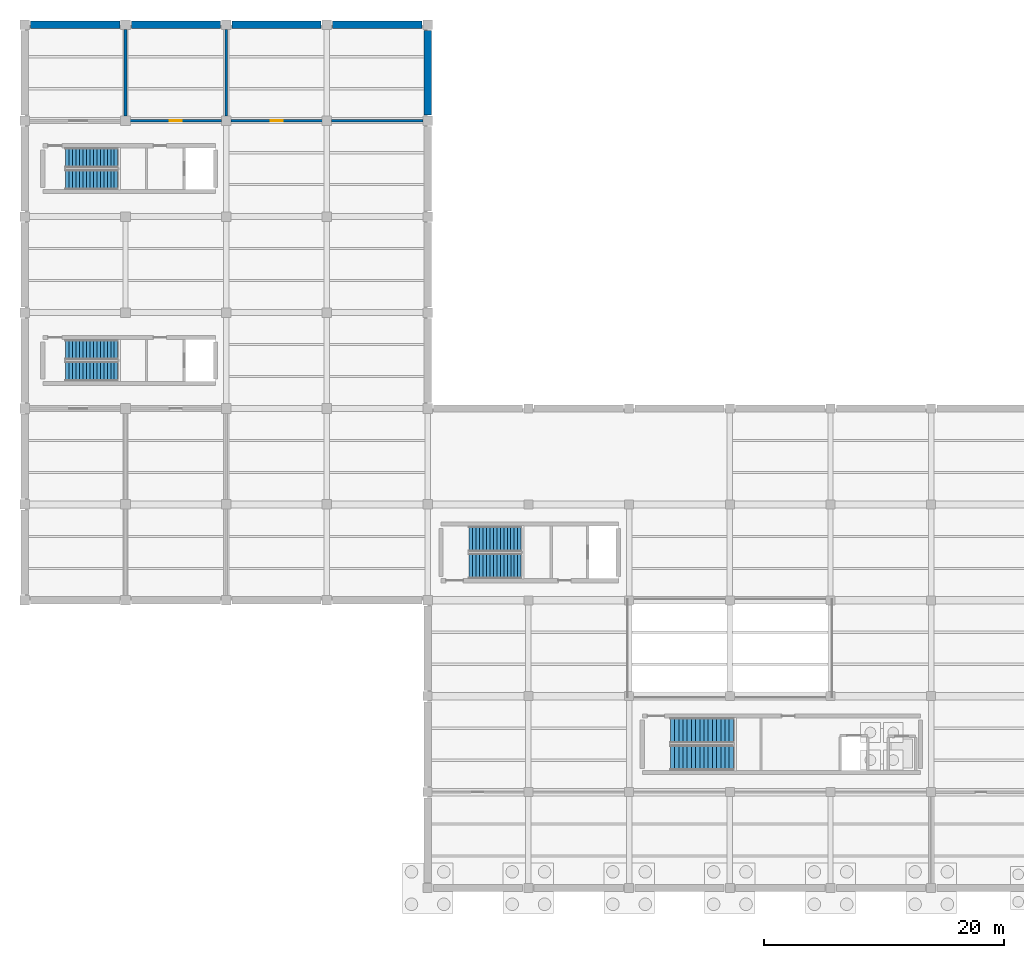
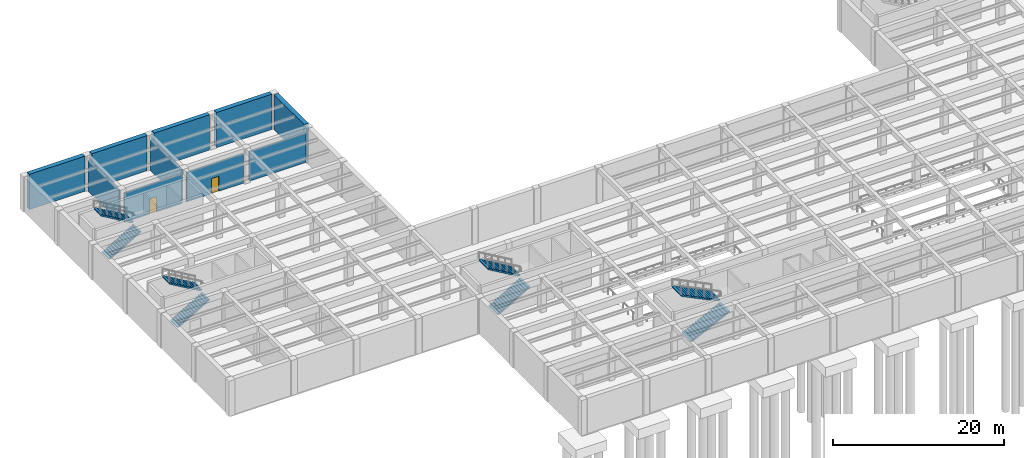
# One storey, part 9 of 16: 10 walls, 8 stair flights, 2 doors, 2 openings, 4 elements without a shape of their own.
"""IFC4 building model written with IfcOpenShell, lengths in metres."""

from ifc_helpers import new_model, si_unit, direction, frame, frame_2d, origin, place, context, subcontext, project, spatial, polyline, rectangle, outline, extrude, material, layer, layer_set, type_object, element, fill, aggregate, save


model = new_model("IFC4")

# Units and contexts
model_context = context("Model", 3, precision=1e-05, world=origin(), true_north=direction((0.0, 1.0)))
body_context = subcontext(model_context, "Body", "Model", "MODEL_VIEW")
ifc_project = project(units=[si_unit("LENGTHUNIT", "METRE"), si_unit("AREAUNIT", "SQUARE_METRE"), si_unit("VOLUMEUNIT", "CUBIC_METRE"), si_unit("PLANEANGLEUNIT", "RADIAN"), si_unit("MASSUNIT", "GRAM", prefix="KILO")], contexts=[model_context])

# Site, building, storey
site_placement = place(None, origin())
site = spatial("IfcSite", under=ifc_project, at=site_placement, CompositionType="ELEMENT")
building_placement = place(site_placement, origin())
building = spatial("IfcBuilding", under=site, at=building_placement, Name="Kranzveld Transit Interchange", CompositionType="ELEMENT")
storey_placement = place(building_placement, frame((0.0, 0.0, -5.43994140625)))
storey = spatial("IfcBuildingStorey", under=building, at=storey_placement, Name="B1", CompositionType="ELEMENT", Elevation=-5.43994140625)

# Wall, opening, door
ifc_material_1 = material(Name="Clay masonry unit wall, 20 MPa", Category="masonry")
ifc_layer_1 = layer(ifc_material_1, 0.22998046875)
ifc_layer_set_1 = layer_set([ifc_layer_1], Name="Clay masonry unit wall, 20 MPa")
wall_type_1 = type_object("IfcWallType", Name="Fire Compartment Wall Masonry 230 EI120", PredefinedType="PARTITIONING", material=ifc_layer_set_1)
wall_1_placement = place(storey_placement, frame((8.7900390625, 88.0, 0.0), z_axis=(0.0, 0.0, 1.0), x_axis=(1.0, 0.0, 0.0)))
wall_1 = element("IfcWall", 1, at=wall_1_placement, inside=storey, type_object=wall_type_1, Name="B1 Partition IW-B1-B1W2-FRT-B114-0", PredefinedType="PARTITIONING", context=body_context, shape_type="SweptSolid", body=[
    extrude(rectangle(XDim=7.619873046875, YDim=0.22998046875, at=frame_2d((3.81005859375, 0.0))), origin(), (0.0, 0.0, 1.0), 4.169921875),
])
opening_1_placement = place(wall_1_placement, frame((3.31005859375, 0.0, 0.0), z_axis=(0.0, 0.0, 1.0), x_axis=(1.0, 0.0, 0.0)))
opening_1 = element("IfcOpeningElement", 2, at=opening_1_placement, cuts=wall_1, Name="Opening D-B114", PredefinedType="OPENING", context=body_context, shape_type="SweptSolid", body=[
    extrude(rectangle(XDim=1.0, YDim=2.14990234375, at=frame_2d((0.5, 1.074951171875))), frame((0.0, 0.125, 0.0), z_axis=(0.0, -1.0, 0.0), x_axis=(1.0, 0.0, 0.0)), (0.0, 0.0, 1.0), 0.25),
])
ifc_material_2 = material(Name="Steel S355JR", Category="steel")
door_type = type_object("IfcDoorType", Name="Fire Door Single 1000x2150 FD120S", OperationType="NOTDEFINED", PredefinedType="DOOR", material=ifc_material_2)
door_1_placement = place(opening_1_placement, origin())
door_1 = element("IfcDoor", 3, at=door_1_placement, inside=storey, type_object=door_type, Name="B1 Interior Door D-B114", OperationType="SINGLE_SWING_RIGHT", OverallHeight=2.14990234375, OverallWidth=1.0, PredefinedType="DOOR", context=body_context, shape_type="SweptSolid", body=[
    extrude(rectangle(XDim=1.0, YDim=2.14990234375, at=frame_2d((0.5, 1.074951171875))), frame((0.0, 0.02490234375, 0.0), z_axis=(0.0, -1.0, 0.0), x_axis=(1.0, 0.0, 0.0)), (0.0, 0.0, 1.0), 0.050048828125),
])
fill(opening_1, door_1)

wall_2_placement = place(storey_placement, frame((17.18994140625, 88.0, 0.0), z_axis=(0.0, 0.0, 1.0), x_axis=(1.0, 0.0, 0.0)))
wall_2 = element("IfcWall", 4, at=wall_2_placement, inside=storey, type_object=wall_type_1, Name="B1 Partition IW-B1-B1W2-FRT-B116-0", PredefinedType="PARTITIONING", context=body_context, shape_type="SweptSolid", body=[
    extrude(rectangle(XDim=7.6201171875, YDim=0.22998046875, at=frame_2d((3.81005859375, 0.0))), origin(), (0.0, 0.0, 1.0), 4.169921875),
])
opening_2_placement = place(wall_2_placement, frame((3.31005859375, 0.0, 0.0), z_axis=(0.0, 0.0, 1.0), x_axis=(1.0, 0.0, 0.0)))
opening_2 = element("IfcOpeningElement", 5, at=opening_2_placement, cuts=wall_2, Name="Opening D-B116", PredefinedType="OPENING", context=body_context, shape_type="SweptSolid", body=[
    extrude(rectangle(XDim=1.0, YDim=2.14990234375, at=frame_2d((0.5, 1.074951171875))), frame((0.0, 0.125, 0.0), z_axis=(0.0, -1.0, 0.0), x_axis=(1.0, 0.0, 0.0)), (0.0, 0.0, 1.0), 0.25),
])
door_2_placement = place(opening_2_placement, origin())
door_2 = element("IfcDoor", 6, at=door_2_placement, inside=storey, type_object=door_type, Name="B1 Interior Door D-B116", OperationType="SINGLE_SWING_LEFT", OverallHeight=2.14990234375, OverallWidth=1.0, PredefinedType="DOOR", context=body_context, shape_type="SweptSolid", body=[
    extrude(rectangle(XDim=1.0, YDim=2.14990234375, at=frame_2d((0.5, 1.074951171875))), frame((0.0, 0.02490234375, 0.0), z_axis=(0.0, -1.0, 0.0), x_axis=(1.0, 0.0, 0.0)), (0.0, 0.0, 1.0), 0.050048828125),
])
fill(opening_2, door_2)

# Walls
for number, where, z_axis, x_axis, name in (
    (7, (8.39990234375, 88.389892578125, 0.0), (0.0, 0.0, 1.0), (0.0, 1.0, 0.0), "B1 Partition IW-B1-B1W2-E-B113-0"),
    (8, (16.800048828125, 88.389892578125, 0.0), (0.0, 0.0, 1.0), (0.0, 1.0, 0.0), "B1 Partition IW-B1-B1W2-E-B114-0"),
):
    element("IfcWall", number, at=place(storey_placement, frame(where, z_axis=z_axis, x_axis=x_axis)), inside=storey, type_object=wall_type_1, Name=name, PredefinedType="PARTITIONING", context=body_context, shape_type="SweptSolid", body=[
        extrude(rectangle(XDim=7.22021484375, YDim=0.22998046875, at=frame_2d((3.610107421875, 0.0))), origin(), (0.0, 0.0, 1.0), 4.369873046875),
    ])
wall_3_placement = place(storey_placement, frame((25.590087890625, 88.0, 0.0), z_axis=(0.0, 0.0, 1.0), x_axis=(1.0, 0.0, 0.0)))
element("IfcWall", 9, at=wall_3_placement, inside=storey, type_object=wall_type_1, Name="B1 Partition IW-B1-B1W2-FRT-B116-1", PredefinedType="PARTITIONING", context=body_context, shape_type="SweptSolid", body=[
    extrude(rectangle(XDim=7.619873046875, YDim=0.22998046875, at=frame_2d((3.81005859375, 0.0))), origin(), (0.0, 0.0, 1.0), 4.169921875),
])
ifc_material_3 = material(Name="Concrete C40/50", Category="concrete")
ifc_layer_2 = layer(ifc_material_3, 0.60009765625)
ifc_layer_set_2 = layer_set([ifc_layer_2], Name="Concrete C40/50")
wall_type_2 = type_object("IfcWallType", Name="Retaining Wall RC 600 C40/50", PredefinedType="SOLIDWALL", material=ifc_layer_set_2)
wall_4_placement = place(storey_placement, frame((0.47998046875, 96.0, 0.0), z_axis=(0.0, 0.0, 1.0), x_axis=(1.0, 0.0, 0.0)))
element("IfcWall", 10, at=wall_4_placement, inside=storey, type_object=wall_type_2, Name="B1 Perimeter Retaining Wall 25", PredefinedType="SOLIDWALL", context=body_context, shape_type="SweptSolid", body=[
    extrude(rectangle(XDim=7.43994140625, YDim=0.60009765625, at=frame_2d((3.719970703125, 0.0))), origin(), (0.0, 0.0, 1.0), 5.02001953125),
])
wall_5_placement = place(storey_placement, frame((8.8798828125, 96.0, 0.0), z_axis=(0.0, 0.0, 1.0), x_axis=(1.0, 0.0, 0.0)))
element("IfcWall", 11, at=wall_5_placement, inside=storey, type_object=wall_type_2, Name="B1 Perimeter Retaining Wall 26", PredefinedType="SOLIDWALL", context=body_context, shape_type="SweptSolid", body=[
    extrude(rectangle(XDim=7.440185546875, YDim=0.60009765625, at=frame_2d((3.72021484375, 0.0))), origin(), (0.0, 0.0, 1.0), 5.02001953125),
])
wall_6_placement = place(storey_placement, frame((17.280029296875, 96.0, 0.0), z_axis=(0.0, 0.0, 1.0), x_axis=(1.0, 0.0, 0.0)))
element("IfcWall", 12, at=wall_6_placement, inside=storey, type_object=wall_type_2, Name="B1 Perimeter Retaining Wall 27", PredefinedType="SOLIDWALL", context=body_context, shape_type="SweptSolid", body=[
    extrude(rectangle(XDim=7.43994140625, YDim=0.60009765625, at=frame_2d((3.719970703125, 0.0))), origin(), (0.0, 0.0, 1.0), 5.02001953125),
])
wall_7_placement = place(storey_placement, frame((25.679931640625, 96.0, 0.0), z_axis=(0.0, 0.0, 1.0), x_axis=(1.0, 0.0, 0.0)))
element("IfcWall", 13, at=wall_7_placement, inside=storey, type_object=wall_type_2, Name="B1 Perimeter Retaining Wall 28", PredefinedType="SOLIDWALL", context=body_context, shape_type="SweptSolid", body=[
    extrude(rectangle(XDim=7.440185546875, YDim=0.60009765625, at=frame_2d((3.72021484375, 0.0))), origin(), (0.0, 0.0, 1.0), 5.02001953125),
])
wall_8_placement = place(storey_placement, frame((33.60009765625, 88.47998046875, 0.0), z_axis=(0.0, 0.0, 1.0), x_axis=(0.0, 1.0, 0.0)))
element("IfcWall", 14, at=wall_8_placement, inside=storey, type_object=wall_type_2, Name="B1 Perimeter Retaining Wall 32", PredefinedType="SOLIDWALL", context=body_context, shape_type="SweptSolid", body=[
    extrude(rectangle(XDim=7.0400390625, YDim=0.60009765625, at=frame_2d((3.52001953125, 0.0))), origin(), (0.0, 0.0, 1.0), 5.02001953125),
])

# Stair, stair flights
ifc_material_4 = material(Name="Concrete C35/45", Category="concrete")
stair_type_1 = type_object("IfcStairType", Name="Dogleg Stair 1650W H5440 C35/45", PredefinedType="HALF_TURN_STAIR", material=ifc_material_4)
stair_1_placement = place(storey_placement, origin())
stair_1 = element("IfcStair", 15, at=stair_1_placement, inside=storey, type_object=stair_type_1, Name="B1 Operations Core C1", PredefinedType="HALF_TURN_STAIR")
ifc_material_5 = material(Name="Concrete C35/45", Category="concrete")
stair_flight_type_1 = type_object("IfcStairFlightType", Name="Stair Flight 1650W H5440 C35/45", PredefinedType="STRAIGHT", material=ifc_material_5)
stair_flight_1_placement = place(storey_placement, frame((3.39990234375, 67.094970703125, 0.0), z_axis=(0.0, 0.0, 1.0), x_axis=(1.0, 0.0, 0.0)))
stair_flight_1 = element("IfcStairFlight", 16, at=stair_flight_1_placement, type_object=stair_flight_type_1, Name="ST-C1 flight 1", NumberOfRisers=16, NumberOfTreads=15, PredefinedType="STRAIGHT", RiserHeight=0.17, TreadLength=0.29, context=body_context, shape_type="SweptSolid", body=[
    extrude(outline(polyline([(0.0, 0.0), (0.0, 0.169921875), (0.2900390625, 0.169921875), (0.2900390625, 0.340087890625), (0.580078125, 0.340087890625), (0.580078125, 0.510009765625), (0.8701171875, 0.510009765625), (0.8701171875, 0.679931640625), (1.159912109375, 0.679931640625), (1.159912109375, 0.85009765625), (1.449951171875, 0.85009765625), (1.449951171875, 1.02001953125), (1.739990234375, 1.02001953125), (1.739990234375, 1.18994140625), (2.030029296875, 1.18994140625), (2.030029296875, 1.360107421875), (2.320068359375, 1.360107421875), (2.320068359375, 1.530029296875), (2.610107421875, 1.530029296875), (2.610107421875, 1.699951171875), (2.89990234375, 1.699951171875), (2.89990234375, 1.8701171875), (3.18994140625, 1.8701171875), (3.18994140625, 2.0400390625), (3.47998046875, 2.0400390625), (3.47998046875, 2.2099609375), (3.77001953125, 2.2099609375), (3.77001953125, 2.3798828125), (4.06005859375, 2.3798828125), (4.06005859375, 2.550048828125), (4.35009765625, 2.550048828125), (4.35009765625, 2.719970703125), (4.35009765625, 2.36474609375), (0.316162109375, 0.0), (0.0, 0.0)])), frame((0.0, 0.824951171875, 0.0), z_axis=(0.0, -1.0, 0.0), x_axis=(1.0, 0.0, 0.0)), (0.0, 0.0, 1.0), 1.64990234375),
])
stair_flight_2_placement = place(storey_placement, frame((7.75, 68.905029296875, 2.719970703125), z_axis=(0.0, 0.0, 1.0), x_axis=(-1.0, 0.0, 0.0)))
stair_flight_2 = element("IfcStairFlight", 17, at=stair_flight_2_placement, type_object=stair_flight_type_1, Name="ST-C1 flight 2", NumberOfRisers=16, NumberOfTreads=15, PredefinedType="STRAIGHT", RiserHeight=0.17, TreadLength=0.29, context=body_context, shape_type="SweptSolid", body=[
    extrude(outline(polyline([(0.0, 0.0), (0.0, 0.169921875), (0.2900390625, 0.169921875), (0.2900390625, 0.340087890625), (0.580078125, 0.340087890625), (0.580078125, 0.510009765625), (0.8701171875, 0.510009765625), (0.8701171875, 0.679931640625), (1.159912109375, 0.679931640625), (1.159912109375, 0.85009765625), (1.449951171875, 0.85009765625), (1.449951171875, 1.02001953125), (1.739990234375, 1.02001953125), (1.739990234375, 1.18994140625), (2.030029296875, 1.18994140625), (2.030029296875, 1.360107421875), (2.320068359375, 1.360107421875), (2.320068359375, 1.530029296875), (2.610107421875, 1.530029296875), (2.610107421875, 1.699951171875), (2.89990234375, 1.699951171875), (2.89990234375, 1.8701171875), (3.18994140625, 1.8701171875), (3.18994140625, 2.0400390625), (3.47998046875, 2.0400390625), (3.47998046875, 2.2099609375), (3.77001953125, 2.2099609375), (3.77001953125, 2.3798828125), (4.06005859375, 2.3798828125), (4.06005859375, 2.550048828125), (4.35009765625, 2.550048828125), (4.35009765625, 2.719970703125), (4.35009765625, 2.36474609375), (0.316162109375, 0.0), (0.0, 0.0)])), frame((0.0, 0.824951171875, 0.0), z_axis=(0.0, -1.0, 0.0), x_axis=(1.0, 0.0, 0.0)), (0.0, 0.0, 1.0), 1.64990234375),
])
aggregate(stair_1, [stair_flight_1, stair_flight_2])

stair_2_placement = place(storey_placement, origin())
stair_2 = element("IfcStair", 18, at=stair_2_placement, inside=storey, type_object=stair_type_1, Name="B1 Operations Core C2", PredefinedType="HALF_TURN_STAIR")
stair_flight_3_placement = place(storey_placement, frame((3.39990234375, 83.094970703125, 0.0), z_axis=(0.0, 0.0, 1.0), x_axis=(1.0, 0.0, 0.0)))
stair_flight_3 = element("IfcStairFlight", 19, at=stair_flight_3_placement, type_object=stair_flight_type_1, Name="ST-C2 flight 1", NumberOfRisers=16, NumberOfTreads=15, PredefinedType="STRAIGHT", RiserHeight=0.17, TreadLength=0.29, context=body_context, shape_type="SweptSolid", body=[
    extrude(outline(polyline([(0.0, 0.0), (0.0, 0.169921875), (0.2900390625, 0.169921875), (0.2900390625, 0.340087890625), (0.580078125, 0.340087890625), (0.580078125, 0.510009765625), (0.8701171875, 0.510009765625), (0.8701171875, 0.679931640625), (1.159912109375, 0.679931640625), (1.159912109375, 0.85009765625), (1.449951171875, 0.85009765625), (1.449951171875, 1.02001953125), (1.739990234375, 1.02001953125), (1.739990234375, 1.18994140625), (2.030029296875, 1.18994140625), (2.030029296875, 1.360107421875), (2.320068359375, 1.360107421875), (2.320068359375, 1.530029296875), (2.610107421875, 1.530029296875), (2.610107421875, 1.699951171875), (2.89990234375, 1.699951171875), (2.89990234375, 1.8701171875), (3.18994140625, 1.8701171875), (3.18994140625, 2.0400390625), (3.47998046875, 2.0400390625), (3.47998046875, 2.2099609375), (3.77001953125, 2.2099609375), (3.77001953125, 2.3798828125), (4.06005859375, 2.3798828125), (4.06005859375, 2.550048828125), (4.35009765625, 2.550048828125), (4.35009765625, 2.719970703125), (4.35009765625, 2.36474609375), (0.316162109375, 0.0), (0.0, 0.0)])), frame((0.0, 0.824951171875, 0.0), z_axis=(0.0, -1.0, 0.0), x_axis=(1.0, 0.0, 0.0)), (0.0, 0.0, 1.0), 1.64990234375),
])
stair_flight_4_placement = place(storey_placement, frame((7.75, 84.905029296875, 2.719970703125), z_axis=(0.0, 0.0, 1.0), x_axis=(-1.0, 0.0, 0.0)))
stair_flight_4 = element("IfcStairFlight", 20, at=stair_flight_4_placement, type_object=stair_flight_type_1, Name="ST-C2 flight 2", NumberOfRisers=16, NumberOfTreads=15, PredefinedType="STRAIGHT", RiserHeight=0.17, TreadLength=0.29, context=body_context, shape_type="SweptSolid", body=[
    extrude(outline(polyline([(0.0, 0.0), (0.0, 0.169921875), (0.2900390625, 0.169921875), (0.2900390625, 0.340087890625), (0.580078125, 0.340087890625), (0.580078125, 0.510009765625), (0.8701171875, 0.510009765625), (0.8701171875, 0.679931640625), (1.159912109375, 0.679931640625), (1.159912109375, 0.85009765625), (1.449951171875, 0.85009765625), (1.449951171875, 1.02001953125), (1.739990234375, 1.02001953125), (1.739990234375, 1.18994140625), (2.030029296875, 1.18994140625), (2.030029296875, 1.360107421875), (2.320068359375, 1.360107421875), (2.320068359375, 1.530029296875), (2.610107421875, 1.530029296875), (2.610107421875, 1.699951171875), (2.89990234375, 1.699951171875), (2.89990234375, 1.8701171875), (3.18994140625, 1.8701171875), (3.18994140625, 2.0400390625), (3.47998046875, 2.0400390625), (3.47998046875, 2.2099609375), (3.77001953125, 2.2099609375), (3.77001953125, 2.3798828125), (4.06005859375, 2.3798828125), (4.06005859375, 2.550048828125), (4.35009765625, 2.550048828125), (4.35009765625, 2.719970703125), (4.35009765625, 2.36474609375), (0.316162109375, 0.0), (0.0, 0.0)])), frame((0.0, 0.824951171875, 0.0), z_axis=(0.0, -1.0, 0.0), x_axis=(1.0, 0.0, 0.0)), (0.0, 0.0, 1.0), 1.64990234375),
])
aggregate(stair_2, [stair_flight_3, stair_flight_4])

ifc_material_6 = material(Name="Concrete C35/45", Category="concrete")
stair_type_2 = type_object("IfcStairType", Name="Dogleg Stair 2100W H5440 C35/45", PredefinedType="HALF_TURN_STAIR", material=ifc_material_6)
stair_3_placement = place(storey_placement, origin())
stair_3 = element("IfcStair", 21, at=stair_3_placement, inside=storey, type_object=stair_type_2, Name="B1 Metro West Core C5", PredefinedType="HALF_TURN_STAIR")
ifc_material_7 = material(Name="Concrete C35/45", Category="concrete")
stair_flight_type_2 = type_object("IfcStairFlightType", Name="Stair Flight 2100W H5440 C35/45", PredefinedType="STRAIGHT", material=ifc_material_7)
stair_flight_5_placement = place(storey_placement, frame((37.050048828125, 50.8701171875, 0.0), z_axis=(0.0, 0.0, 1.0), x_axis=(1.0, 0.0, 0.0)))
stair_flight_5 = element("IfcStairFlight", 22, at=stair_flight_5_placement, type_object=stair_flight_type_2, Name="ST-M1 flight 1", NumberOfRisers=16, NumberOfTreads=15, PredefinedType="STRAIGHT", RiserHeight=0.17, TreadLength=0.29, context=body_context, shape_type="SweptSolid", body=[
    extrude(outline(polyline([(0.0, 0.0), (0.0, 0.169921875), (0.2900390625, 0.169921875), (0.2900390625, 0.340087890625), (0.580078125, 0.340087890625), (0.580078125, 0.510009765625), (0.8701171875, 0.510009765625), (0.8701171875, 0.679931640625), (1.159912109375, 0.679931640625), (1.159912109375, 0.85009765625), (1.449951171875, 0.85009765625), (1.449951171875, 1.02001953125), (1.739990234375, 1.02001953125), (1.739990234375, 1.18994140625), (2.030029296875, 1.18994140625), (2.030029296875, 1.360107421875), (2.320068359375, 1.360107421875), (2.320068359375, 1.530029296875), (2.610107421875, 1.530029296875), (2.610107421875, 1.699951171875), (2.89990234375, 1.699951171875), (2.89990234375, 1.8701171875), (3.18994140625, 1.8701171875), (3.18994140625, 2.0400390625), (3.47998046875, 2.0400390625), (3.47998046875, 2.2099609375), (3.77001953125, 2.2099609375), (3.77001953125, 2.3798828125), (4.06005859375, 2.3798828125), (4.06005859375, 2.550048828125), (4.35009765625, 2.550048828125), (4.35009765625, 2.719970703125), (4.35009765625, 2.36474609375), (0.316162109375, 0.0), (0.0, 0.0)])), frame((0.0, 1.050048828125, 0.0), z_axis=(0.0, -1.0, 0.0), x_axis=(1.0, 0.0, 0.0)), (0.0, 0.0, 1.0), 2.10009765625),
])
stair_flight_6_placement = place(storey_placement, frame((41.39990234375, 53.1298828125, 2.719970703125), z_axis=(0.0, 0.0, 1.0), x_axis=(-1.0, 0.0, 0.0)))
stair_flight_6 = element("IfcStairFlight", 23, at=stair_flight_6_placement, type_object=stair_flight_type_2, Name="ST-M1 flight 2", NumberOfRisers=16, NumberOfTreads=15, PredefinedType="STRAIGHT", RiserHeight=0.17, TreadLength=0.29, context=body_context, shape_type="SweptSolid", body=[
    extrude(outline(polyline([(0.0, 0.0), (0.0, 0.169921875), (0.2900390625, 0.169921875), (0.2900390625, 0.340087890625), (0.580078125, 0.340087890625), (0.580078125, 0.510009765625), (0.8701171875, 0.510009765625), (0.8701171875, 0.679931640625), (1.159912109375, 0.679931640625), (1.159912109375, 0.85009765625), (1.449951171875, 0.85009765625), (1.449951171875, 1.02001953125), (1.739990234375, 1.02001953125), (1.739990234375, 1.18994140625), (2.030029296875, 1.18994140625), (2.030029296875, 1.360107421875), (2.320068359375, 1.360107421875), (2.320068359375, 1.530029296875), (2.610107421875, 1.530029296875), (2.610107421875, 1.699951171875), (2.89990234375, 1.699951171875), (2.89990234375, 1.8701171875), (3.18994140625, 1.8701171875), (3.18994140625, 2.0400390625), (3.47998046875, 2.0400390625), (3.47998046875, 2.2099609375), (3.77001953125, 2.2099609375), (3.77001953125, 2.3798828125), (4.06005859375, 2.3798828125), (4.06005859375, 2.550048828125), (4.35009765625, 2.550048828125), (4.35009765625, 2.719970703125), (4.35009765625, 2.36474609375), (0.316162109375, 0.0), (0.0, 0.0)])), frame((0.0, 1.050048828125, 0.0), z_axis=(0.0, -1.0, 0.0), x_axis=(1.0, 0.0, 0.0)), (0.0, 0.0, 1.0), 2.10009765625),
])
aggregate(stair_3, [stair_flight_5, stair_flight_6])

stair_4_placement = place(storey_placement, origin())
stair_4 = element("IfcStair", 24, at=stair_4_placement, inside=storey, type_object=stair_type_2, Name="B1 Metro East & Bus Mezzanine Core C6", PredefinedType="HALF_TURN_STAIR")
stair_flight_7_placement = place(storey_placement, frame((53.85009765625, 34.8701171875, 0.0), z_axis=(0.0, 0.0, 1.0), x_axis=(1.0, 0.0, 0.0)))
stair_flight_7 = element("IfcStairFlight", 25, at=stair_flight_7_placement, type_object=stair_flight_type_2, Name="ST-M2 flight 1", NumberOfRisers=16, NumberOfTreads=15, PredefinedType="STRAIGHT", RiserHeight=0.17, TreadLength=0.35, context=body_context, shape_type="SweptSolid", body=[
    extrude(outline(polyline([(0.0, 0.0), (0.0, 0.169921875), (0.35009765625, 0.169921875), (0.35009765625, 0.340087890625), (0.699951171875, 0.340087890625), (0.699951171875, 0.510009765625), (1.050048828125, 0.510009765625), (1.050048828125, 0.679931640625), (1.39990234375, 0.679931640625), (1.39990234375, 0.85009765625), (1.75, 0.85009765625), (1.75, 1.02001953125), (2.10009765625, 1.02001953125), (2.10009765625, 1.18994140625), (2.449951171875, 1.18994140625), (2.449951171875, 1.360107421875), (2.800048828125, 1.360107421875), (2.800048828125, 1.530029296875), (3.14990234375, 1.530029296875), (3.14990234375, 1.699951171875), (3.5, 1.699951171875), (3.5, 1.8701171875), (3.85009765625, 1.8701171875), (3.85009765625, 2.0400390625), (4.199951171875, 2.0400390625), (4.199951171875, 2.2099609375), (4.550048828125, 2.2099609375), (4.550048828125, 2.3798828125), (4.89990234375, 2.3798828125), (4.89990234375, 2.550048828125), (5.25, 2.550048828125), (5.25, 2.719970703125), (5.25, 2.372314453125), (0.365966796875, 0.0), (0.0, 0.0)])), frame((0.0, 1.050048828125, 0.0), z_axis=(0.0, -1.0, 0.0), x_axis=(1.0, 0.0, 0.0)), (0.0, 0.0, 1.0), 2.10009765625),
])
stair_flight_8_placement = place(storey_placement, frame((59.10009765625, 37.1298828125, 2.719970703125), z_axis=(0.0, 0.0, 1.0), x_axis=(-1.0, 0.0, 0.0)))
stair_flight_8 = element("IfcStairFlight", 26, at=stair_flight_8_placement, type_object=stair_flight_type_2, Name="ST-M2 flight 2", NumberOfRisers=16, NumberOfTreads=15, PredefinedType="STRAIGHT", RiserHeight=0.17, TreadLength=0.35, context=body_context, shape_type="SweptSolid", body=[
    extrude(outline(polyline([(0.0, 0.0), (0.0, 0.169921875), (0.35009765625, 0.169921875), (0.35009765625, 0.340087890625), (0.699951171875, 0.340087890625), (0.699951171875, 0.510009765625), (1.050048828125, 0.510009765625), (1.050048828125, 0.679931640625), (1.39990234375, 0.679931640625), (1.39990234375, 0.85009765625), (1.75, 0.85009765625), (1.75, 1.02001953125), (2.10009765625, 1.02001953125), (2.10009765625, 1.18994140625), (2.449951171875, 1.18994140625), (2.449951171875, 1.360107421875), (2.800048828125, 1.360107421875), (2.800048828125, 1.530029296875), (3.14990234375, 1.530029296875), (3.14990234375, 1.699951171875), (3.5, 1.699951171875), (3.5, 1.8701171875), (3.85009765625, 1.8701171875), (3.85009765625, 2.0400390625), (4.199951171875, 2.0400390625), (4.199951171875, 2.2099609375), (4.550048828125, 2.2099609375), (4.550048828125, 2.3798828125), (4.89990234375, 2.3798828125), (4.89990234375, 2.550048828125), (5.25, 2.550048828125), (5.25, 2.719970703125), (5.25, 2.372314453125), (0.365966796875, 0.0), (0.0, 0.0)])), frame((0.0, 1.050048828125, 0.0), z_axis=(0.0, -1.0, 0.0), x_axis=(1.0, 0.0, 0.0)), (0.0, 0.0, 1.0), 2.10009765625),
])
aggregate(stair_4, [stair_flight_7, stair_flight_8])

save(model, "model.ifc")
